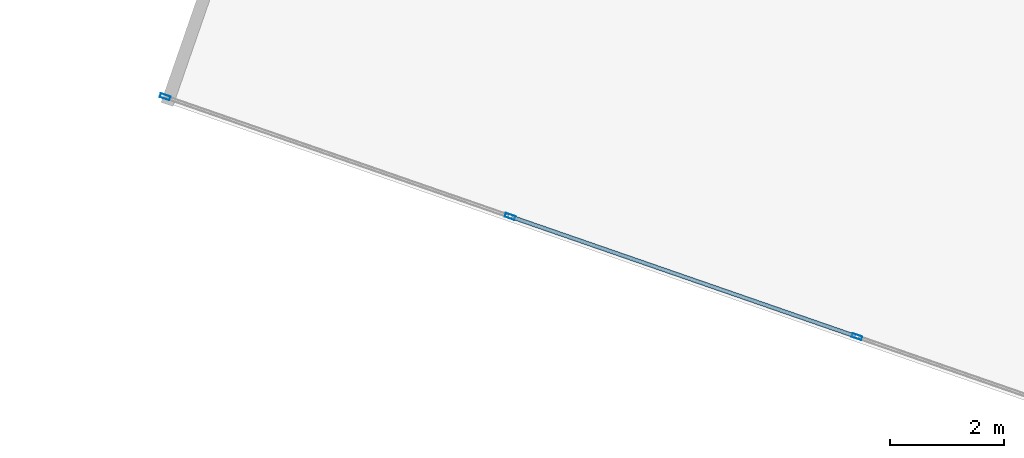
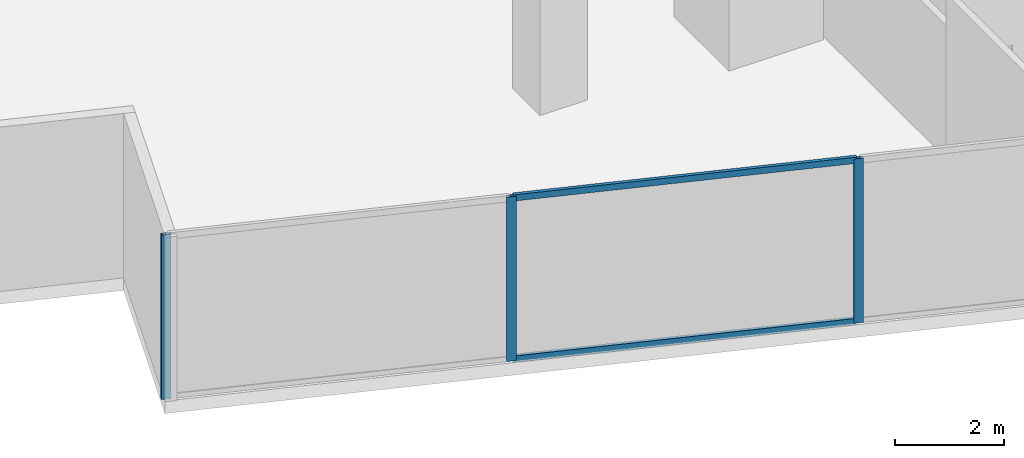
# One storey, part 2 of 27: 5 members, 1 element without a shape of its own.
"""IFC4 building model written with IfcOpenShell, lengths in metres."""

from ifc_helpers import new_model, si_unit, direction, frame, origin, origin_2d, place, context, subcontext, project, spatial, hollow_rectangle, extrude, source, transform, mapped, material, material_profile, profile_set, type_object, type_shapes, element, aggregate, save


model = new_model("IFC4")

# Units and contexts
model_context = context("Model", 3, precision=1e-05, world=origin(), true_north=direction((0.0, 1.0)))
body_context = subcontext(model_context, "Body", "Model", "MODEL_VIEW")
ifc_project = project(units=[si_unit("LENGTHUNIT", "METRE"), si_unit("AREAUNIT", "SQUARE_METRE"), si_unit("VOLUMEUNIT", "CUBIC_METRE"), si_unit("PLANEANGLEUNIT", "RADIAN"), si_unit("MASSUNIT", "GRAM", prefix="KILO")], contexts=[model_context])

# Site, building, storey
site_placement = place(None, origin())
site = spatial("IfcSite", under=ifc_project, at=site_placement, CompositionType="ELEMENT")
building_placement = place(site_placement, origin())
building = spatial("IfcBuilding", under=site, at=building_placement, Name="Krantzveldt Concourse Tower", CompositionType="ELEMENT")
storey_placement = place(building_placement, frame((0.0, 0.0, 121.64990234375)))
storey = spatial("IfcBuildingStorey", under=building, at=storey_placement, Name="L29", CompositionType="ELEMENT", Elevation=121.64990234375)

# Curtain wall, members
ifc_material = material(Name="Anodised aluminium 6063-T6", Category="aluminium")
curtain_wall_type = type_object("IfcCurtainWallType", Name="CW2", PredefinedType="USERDEFINED", material=ifc_material)
curtain_wall_placement = place(storey_placement, origin())
curtain_wall = element("IfcCurtainWall", 1, at=curtain_wall_placement, inside=storey, type_object=curtain_wall_type, Name="CW-L29-F04", ObjectType="UNITISED CURTAIN WALL", PredefinedType="USERDEFINED")
ifc_material_profile_1 = material_profile(ifc_material, hollow_rectangle(XDim=0.070068359375, YDim=0.179931640625, WallThickness=0.0048828125, at=origin_2d()), Name="Anodised aluminium 6063-T6", Category="aluminium")
ifc_profile_set_1 = profile_set([ifc_material_profile_1], Name="Anodised aluminium 6063-T6 - ALU-MULL 180x70x5")
member_type_1 = type_object("IfcMemberType", Name="CW-MUL-180", PredefinedType="MULLION", material=ifc_profile_set_1)
shared_shape_1 = source(origin(), body_context, "Body", "SweptSolid", [
    extrude(hollow_rectangle(XDim=0.070068359375, YDim=0.179931640625, WallThickness=0.0048828125, at=origin_2d()), origin(), (0.0, 0.0, 1.0), 3.670166015625),
])
type_shapes(member_type_1, [shared_shape_1])
member_1_placement = place(storey_placement, frame((10.06689453125, 11.021240234375, 0.0), z_axis=(0.0, 0.0, 1.0), x_axis=(0.32763019404, 0.944806041446, 0.0)))
member_1 = element("IfcMember", 2, at=member_1_placement, type_object=member_type_1, Name="CW-Z12 mullion 1", PredefinedType="MULLION", context=body_context, shape_type="MappedRepresentation", body=[
    mapped(shared_shape_1, transform((0.0, 0.0, 0.0), x_axis=(1.0, 0.0, 0.0), y_axis=(0.0, 1.0, 0.0), z_axis=(0.0, 0.0, 1.0), scale=1.0)),
])
member_2_placement = place(storey_placement, frame((16.1435546875, 8.913818359375, 0.0), z_axis=(0.0, 0.0, 1.0), x_axis=(0.32763019404, 0.944806041446, 0.0)))
member_2 = element("IfcMember", 3, at=member_2_placement, type_object=member_type_1, Name="CW-Z12 mullion 2", PredefinedType="MULLION", context=body_context, shape_type="MappedRepresentation", body=[
    mapped(shared_shape_1, transform((0.0, 0.0, 0.0), x_axis=(1.0, 0.0, 0.0), y_axis=(0.0, 1.0, 0.0), z_axis=(0.0, 0.0, 1.0), scale=1.0)),
])
member_3_placement = place(storey_placement, frame((22.253173828125, 6.795166015625, 0.0), z_axis=(0.0, 0.0, 1.0), x_axis=(0.32763019404, 0.944806041446, 0.0)))
member_3 = element("IfcMember", 4, at=member_3_placement, type_object=member_type_1, Name="CW-Z12 mullion 3", PredefinedType="MULLION", context=body_context, shape_type="MappedRepresentation", body=[
    mapped(shared_shape_1, transform((0.0, 0.0, 0.0), x_axis=(1.0, 0.0, 0.0), y_axis=(0.0, 1.0, 0.0), z_axis=(0.0, 0.0, 1.0), scale=1.0)),
])
ifc_material_profile_2 = material_profile(ifc_material, hollow_rectangle(XDim=0.070068359375, YDim=0.139892578125, WallThickness=0.0048828125, at=origin_2d()), Name="Anodised aluminium 6063-T6", Category="aluminium")
ifc_profile_set_2 = profile_set([ifc_material_profile_2], Name="Anodised aluminium 6063-T6 - ALU-TRAN 140x70x5")
member_type_2 = type_object("IfcMemberType", Name="CW-TRN-150", PredefinedType="USERDEFINED", material=ifc_profile_set_2)
shared_shape_2 = source(origin(), body_context, "Body", "SweptSolid", [
    extrude(hollow_rectangle(XDim=0.070068359375, YDim=0.139892578125, WallThickness=0.0048828125, at=origin_2d()), origin(), (0.0, 0.0, 1.0), 6.396728515625),
])
type_shapes(member_type_2, [shared_shape_2])
member_4_placement = place(storey_placement, frame((16.176513671875, 8.90234375, 0.03515625), z_axis=(0.944809422525, -0.327620443666, 0.0), x_axis=(0.327620443666, 0.944809422525, 0.0)))
member_4 = element("IfcMember", 5, at=member_4_placement, type_object=member_type_2, Name="CW-Z12 transom 2.1", ObjectType="TRANSOM", PredefinedType="USERDEFINED", context=body_context, shape_type="MappedRepresentation", body=[
    mapped(shared_shape_2, transform((0.0, 0.0, 0.0), x_axis=(1.0, 0.0, 0.0), y_axis=(0.0, 1.0, 0.0), z_axis=(0.0, 0.0, 1.0), scale=1.0)),
])
member_5_placement = place(storey_placement, frame((16.176513671875, 8.90234375, 3.635009765625), z_axis=(0.944809422525, -0.327620443666, 0.0), x_axis=(0.327620443666, 0.944809422525, 0.0)))
member_5 = element("IfcMember", 6, at=member_5_placement, type_object=member_type_2, Name="CW-Z12 transom 2.2", ObjectType="TRANSOM", PredefinedType="USERDEFINED", context=body_context, shape_type="MappedRepresentation", body=[
    mapped(shared_shape_2, transform((0.0, 0.0, 0.0), x_axis=(1.0, 0.0, 0.0), y_axis=(0.0, 1.0, 0.0), z_axis=(0.0, 0.0, 1.0), scale=1.0)),
])
aggregate(curtain_wall, [member_1, member_2, member_3, member_4, member_5])

save(model, "model.ifc")
